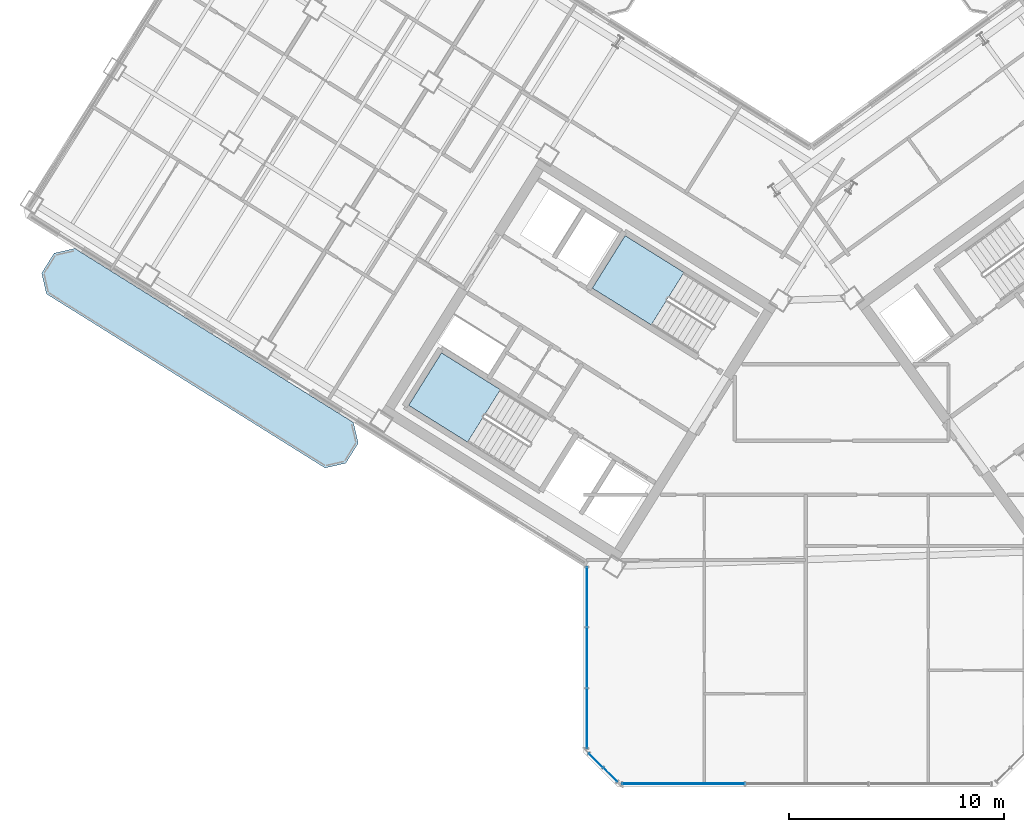
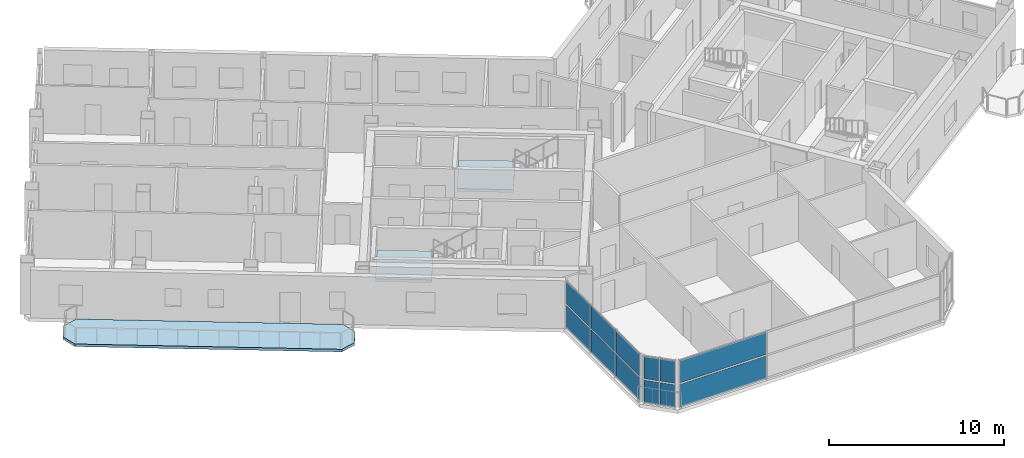
# One storey, part 8 of 21: 12 plates, 3 slabs, 5 elements without a shape of their own.
"""IFC4 building model written with IfcOpenShell, lengths in metres."""

from ifc_helpers import new_model, si_unit, direction, frame, origin, origin_2d, place, context, subcontext, project, spatial, polyline, rectangle, outline, extrude, source, transform, mapped, material, layer, layer_set, type_object, element, aggregate, save


model = new_model("IFC4")

# Units and contexts
model_context = context("Model", 3, precision=1e-05, world=origin(), true_north=direction((0.0, 1.0)))
body_context = subcontext(model_context, "Body", "Model", "MODEL_VIEW")
ifc_project = project(units=[si_unit("LENGTHUNIT", "METRE"), si_unit("AREAUNIT", "SQUARE_METRE"), si_unit("VOLUMEUNIT", "CUBIC_METRE"), si_unit("PLANEANGLEUNIT", "RADIAN"), si_unit("MASSUNIT", "GRAM", prefix="KILO")], contexts=[model_context])

# Site, building, storey
site_placement = place(None, origin())
site = spatial("IfcSite", under=ifc_project, at=site_placement, CompositionType="ELEMENT")
building_placement = place(site_placement, origin())
building = spatial("IfcBuilding", under=site, at=building_placement, Name="Tlacorven Tower", CompositionType="ELEMENT")
storey_placement = place(building_placement, frame((0.0, 0.0, 222.0)))
storey = spatial("IfcBuildingStorey", under=building, at=storey_placement, Name="L56", CompositionType="ELEMENT", Elevation=222.0)

# Slab
ifc_material_1 = material(Name="Precast concrete C45/55", Category="concrete")
ifc_layer_1 = layer(ifc_material_1, 0.179931640625)
ifc_layer_set_1 = layer_set([ifc_layer_1], Name="Precast concrete C45/55")
slab_type_1 = type_object("IfcSlabType", Name="SL-BAL-180", PredefinedType="USERDEFINED", material=ifc_layer_set_1)
slab_1_placement = place(storey_placement, frame((0.0, 0.0, -0.179931640625)))
element("IfcSlab", 1, at=slab_1_placement, inside=storey, type_object=slab_type_1, Name="L56 West Wing Balcony Ribbon OUT", ObjectType="BALCONY SLAB", PredefinedType="USERDEFINED", context=body_context, shape_type="SweptSolid", body=[
    extrude(outline(polyline([(20.88671875, 18.78271484375), (7.91162109375, 26.890625), (6.947021484375, 26.66796875), (6.366943359375, 25.7392578125), (6.589599609375, 24.774658203125), (19.564697265625, 16.6669921875), (20.529296875, 16.8896484375), (21.109375, 17.818115234375), (20.88671875, 18.78271484375)])), origin(), (0.0, 0.0, 1.0), 0.179931640625),
])

# Stair, slab
ifc_material_2 = material(Name="Concrete C40/50", Category="concrete")
stair_type = type_object("IfcStairType", Name="ST-CORE-DLG", PredefinedType="HALF_TURN_STAIR", material=ifc_material_2)
stair_1_placement = place(storey_placement, origin())
stair_1 = element("IfcStair", 2, at=stair_1_placement, inside=storey, type_object=stair_type, Name="L56 Protected Exit Stair West 1", PredefinedType="HALF_TURN_STAIR")
ifc_layer_2 = layer(ifc_material_2, 0.199951171875)
ifc_layer_set_2 = layer_set([ifc_layer_2], Name="Concrete C40/50")
slab_type_2 = type_object("IfcSlabType", Name="SL-LND-200", PredefinedType="LANDING", material=ifc_layer_set_2)
slab_2_placement = place(storey_placement, frame((0.0, 0.0, 1.60009765625)))
slab_2 = element("IfcSlab", 3, at=slab_2_placement, type_object=slab_type_2, Name="ST-W1 landing 1", PredefinedType="LANDING", context=body_context, shape_type="SweptSolid", body=[
    extrude(outline(polyline([(27.728515625, 20.315185546875), (24.9892578125, 22.02685546875), (23.463134765625, 19.58447265625), (26.2021484375, 17.872802734375), (27.728515625, 20.315185546875)])), origin(), (0.0, 0.0, 1.0), 0.199951171875),
])
aggregate(stair_1, [slab_2])

stair_2_placement = place(storey_placement, origin())
stair_2 = element("IfcStair", 4, at=stair_2_placement, inside=storey, type_object=stair_type, Name="L56 Protected Exit Stair West 2", PredefinedType="HALF_TURN_STAIR")
slab_3_placement = place(storey_placement, frame((0.0, 0.0, 1.60009765625)))
slab_3 = element("IfcSlab", 5, at=slab_3_placement, type_object=slab_type_2, Name="ST-W2 landing 1", PredefinedType="LANDING", context=body_context, shape_type="SweptSolid", body=[
    extrude(outline(polyline([(36.280029296875, 25.772705078125), (33.540771484375, 27.484375), (32.0146484375, 25.0419921875), (34.75390625, 23.33056640625), (36.280029296875, 25.772705078125)])), origin(), (0.0, 0.0, 1.0), 0.199951171875),
])
aggregate(stair_2, [slab_3])

# Curtain wall, plates
ifc_material_3 = material(Name="Dark solar low-E double glazing in aluminium frame", Category="aluminium")
curtain_wall_type = type_object("IfcCurtainWallType", Name="CW-TWR-HIGH", PredefinedType="USERDEFINED", material=ifc_material_3)
curtain_wall_1_placement = place(storey_placement, origin())
curtain_wall_1 = element("IfcCurtainWall", 6, at=curtain_wall_1_placement, inside=storey, type_object=curtain_wall_type, Name="L56 CW-TWR-HIGH Curtain Wall 255", ObjectType="UNITISED CURTAIN WALL", PredefinedType="USERDEFINED")
ifc_material_4 = material(Name="High-wind dark solar tempered low-E glazing", Category="glass")
ifc_layer_3 = layer(ifc_material_4, 0.028076171875)
ifc_layer_set_3 = layer_set([ifc_layer_3], Name="High-wind dark solar tempered low-E glazing")
plate_type = type_object("IfcPlateType", Name="CWP-03", PredefinedType="CURTAIN_PANEL", material=ifc_layer_set_3)
shared_shape_1 = source(origin(), body_context, "Body", "SweptSolid", [
    extrude(rectangle(XDim=0.89306640625, YDim=0.028076171875, at=origin_2d()), origin(), (0.0, 0.0, 1.0), 1.572998046875),
])
plate_1_placement = place(storey_placement, frame((32.84375, 2.382568359375, 0.05078125), z_axis=(0.0, 0.0, 1.0), x_axis=(-0.707106781187, 0.707106781187, 0.0)))
plate_1 = element("IfcPlate", 7, at=plate_1_placement, type_object=plate_type, Name="CW-L56-255 Glazing Panel 1", PredefinedType="CURTAIN_PANEL", context=body_context, shape_type="MappedRepresentation", body=[
    mapped(shared_shape_1, transform((0.0, 0.0, 0.0), scale=1.0)),
])
plate_2_placement = place(storey_placement, frame((32.84375, 2.382568359375, 1.72607421875), z_axis=(0.0, 0.0, 1.0), x_axis=(-0.707106781187, 0.707106781187, 0.0)))
plate_2 = element("IfcPlate", 8, at=plate_2_placement, type_object=plate_type, Name="CW-L56-255 Glazing Panel 2", PredefinedType="CURTAIN_PANEL", context=body_context, shape_type="MappedRepresentation", body=[
    mapped(shared_shape_1, transform((0.0, 0.0, 0.0), scale=1.0)),
])
plate_3_placement = place(storey_placement, frame((32.1826171875, 3.043701171875, 0.05078125), z_axis=(0.0, 0.0, 1.0), x_axis=(-0.707106781187, 0.707106781187, 0.0)))
plate_3 = element("IfcPlate", 9, at=plate_3_placement, type_object=plate_type, Name="CW-L56-255 Glazing Panel 3", PredefinedType="CURTAIN_PANEL", context=body_context, shape_type="MappedRepresentation", body=[
    mapped(shared_shape_1, transform((0.0, 0.0, 0.0), scale=1.0)),
])
plate_4_placement = place(storey_placement, frame((32.1826171875, 3.043701171875, 1.72607421875), z_axis=(0.0, 0.0, 1.0), x_axis=(-0.707106781187, 0.707106781187, 0.0)))
plate_4 = element("IfcPlate", 10, at=plate_4_placement, type_object=plate_type, Name="CW-L56-255 Glazing Panel 4", PredefinedType="CURTAIN_PANEL", context=body_context, shape_type="MappedRepresentation", body=[
    mapped(shared_shape_1, transform((0.0, 0.0, 0.0), scale=1.0)),
])
aggregate(curtain_wall_1, [plate_1, plate_2, plate_3, plate_4])

curtain_wall_2_placement = place(storey_placement, origin())
curtain_wall_2 = element("IfcCurtainWall", 11, at=curtain_wall_2_placement, inside=storey, type_object=curtain_wall_type, Name="L56 CW-TWR-HIGH Curtain Wall 254", ObjectType="UNITISED CURTAIN WALL", PredefinedType="USERDEFINED")
shared_shape_2 = source(origin(), body_context, "Body", "SweptSolid", [
    extrude(rectangle(XDim=5.683837890625, YDim=0.028076171875, at=origin_2d()), origin(), (0.0, 0.0, 1.0), 1.572998046875),
])
plate_5_placement = place(storey_placement, frame((36.25927734375, 1.9599609375, 0.05078125), z_axis=(0.0, 0.0, 1.0), x_axis=(-1.0, 0.0, 0.0)))
plate_5 = element("IfcPlate", 12, at=plate_5_placement, type_object=plate_type, Name="CW-L56-254 Glazing Panel 5", PredefinedType="CURTAIN_PANEL", context=body_context, shape_type="MappedRepresentation", body=[
    mapped(shared_shape_2, transform((0.0, 0.0, 0.0), scale=1.0)),
])
plate_6_placement = place(storey_placement, frame((36.25927734375, 1.9599609375, 1.72607421875), z_axis=(0.0, 0.0, 1.0), x_axis=(-1.0, 0.0, 0.0)))
plate_6 = element("IfcPlate", 13, at=plate_6_placement, type_object=plate_type, Name="CW-L56-254 Glazing Panel 6", PredefinedType="CURTAIN_PANEL", context=body_context, shape_type="MappedRepresentation", body=[
    mapped(shared_shape_2, transform((0.0, 0.0, 0.0), scale=1.0)),
])
aggregate(curtain_wall_2, [plate_5, plate_6])

curtain_wall_3_placement = place(storey_placement, origin())
curtain_wall_3 = element("IfcCurtainWall", 14, at=curtain_wall_3_placement, inside=storey, type_object=curtain_wall_type, Name="L56 CW-TWR-HIGH Curtain Wall 256", ObjectType="UNITISED CURTAIN WALL", PredefinedType="USERDEFINED")
shared_shape_3 = source(origin(), body_context, "Body", "SweptSolid", [
    extrude(rectangle(XDim=2.766845703125, YDim=0.028076171875, at=origin_2d()), origin(), (0.0, 0.0, 1.0), 1.572998046875),
])
plate_7_placement = place(storey_placement, frame((31.760009765625, 5.000732421875, 0.05078125), z_axis=(0.0, 0.0, 1.0), x_axis=(0.0, 1.0, 0.0)))
plate_7 = element("IfcPlate", 15, at=plate_7_placement, type_object=plate_type, Name="CW-L56-256 Glazing Panel 1", PredefinedType="CURTAIN_PANEL", context=body_context, shape_type="MappedRepresentation", body=[
    mapped(shared_shape_3, transform((0.0, 0.0, 0.0), scale=1.0)),
])
plate_8_placement = place(storey_placement, frame((31.760009765625, 5.000732421875, 1.72607421875), z_axis=(0.0, 0.0, 1.0), x_axis=(0.0, 1.0, 0.0)))
plate_8 = element("IfcPlate", 16, at=plate_8_placement, type_object=plate_type, Name="CW-L56-256 Glazing Panel 2", PredefinedType="CURTAIN_PANEL", context=body_context, shape_type="MappedRepresentation", body=[
    mapped(shared_shape_3, transform((0.0, 0.0, 0.0), scale=1.0)),
])
plate_9_placement = place(storey_placement, frame((31.760009765625, 10.648681640625, 0.05078125), z_axis=(0.0, 0.0, 1.0), x_axis=(0.0, 1.0, 0.0)))
plate_9 = element("IfcPlate", 17, at=plate_9_placement, type_object=plate_type, Name="CW-L56-256 Glazing Panel 5", PredefinedType="CURTAIN_PANEL", context=body_context, shape_type="MappedRepresentation", body=[
    mapped(shared_shape_3, transform((0.0, 0.0, 0.0), scale=1.0)),
])
plate_10_placement = place(storey_placement, frame((31.760009765625, 10.648681640625, 1.72607421875), z_axis=(0.0, 0.0, 1.0), x_axis=(0.0, 1.0, 0.0)))
plate_10 = element("IfcPlate", 18, at=plate_10_placement, type_object=plate_type, Name="CW-L56-256 Glazing Panel 6", PredefinedType="CURTAIN_PANEL", context=body_context, shape_type="MappedRepresentation", body=[
    mapped(shared_shape_3, transform((0.0, 0.0, 0.0), scale=1.0)),
])
shared_shape_4 = source(origin(), body_context, "Body", "SweptSolid", [
    extrude(rectangle(XDim=2.796875, YDim=0.028076171875, at=origin_2d()), origin(), (0.0, 0.0, 1.0), 1.572998046875),
])
plate_11_placement = place(storey_placement, frame((31.760009765625, 7.82470703125, 0.05078125), z_axis=(0.0, 0.0, 1.0), x_axis=(0.0, 1.0, 0.0)))
plate_11 = element("IfcPlate", 19, at=plate_11_placement, type_object=plate_type, Name="CW-L56-256 Glazing Panel 3", PredefinedType="CURTAIN_PANEL", context=body_context, shape_type="MappedRepresentation", body=[
    mapped(shared_shape_4, transform((0.0, 0.0, 0.0), scale=1.0)),
])
plate_12_placement = place(storey_placement, frame((31.760009765625, 7.82470703125, 1.72607421875), z_axis=(0.0, 0.0, 1.0), x_axis=(0.0, 1.0, 0.0)))
plate_12 = element("IfcPlate", 20, at=plate_12_placement, type_object=plate_type, Name="CW-L56-256 Glazing Panel 4", PredefinedType="CURTAIN_PANEL", context=body_context, shape_type="MappedRepresentation", body=[
    mapped(shared_shape_4, transform((0.0, 0.0, 0.0), scale=1.0)),
])
aggregate(curtain_wall_3, [plate_7, plate_8, plate_11, plate_12, plate_9, plate_10])

save(model, "model.ifc")
